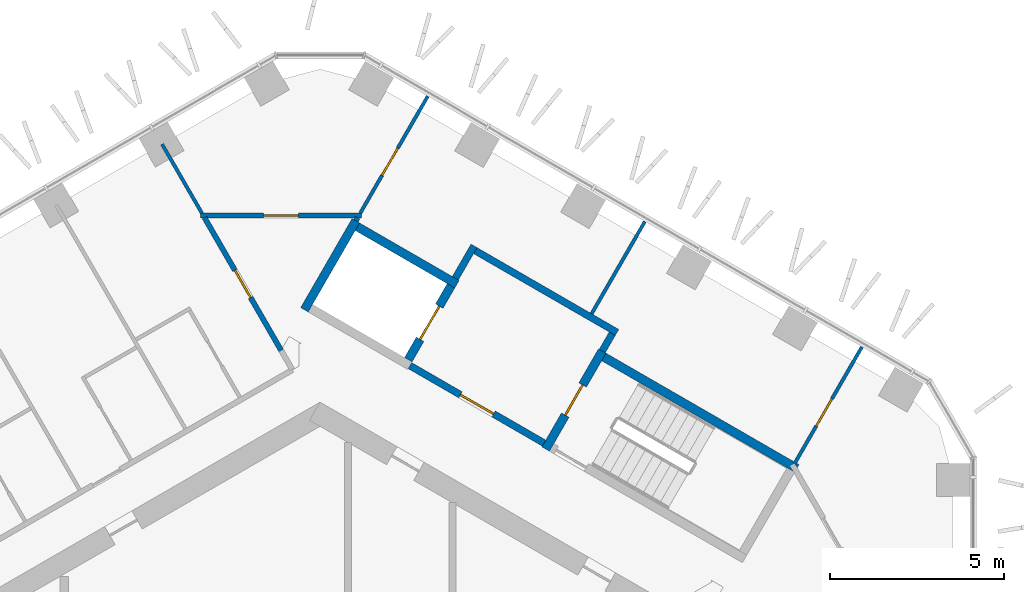
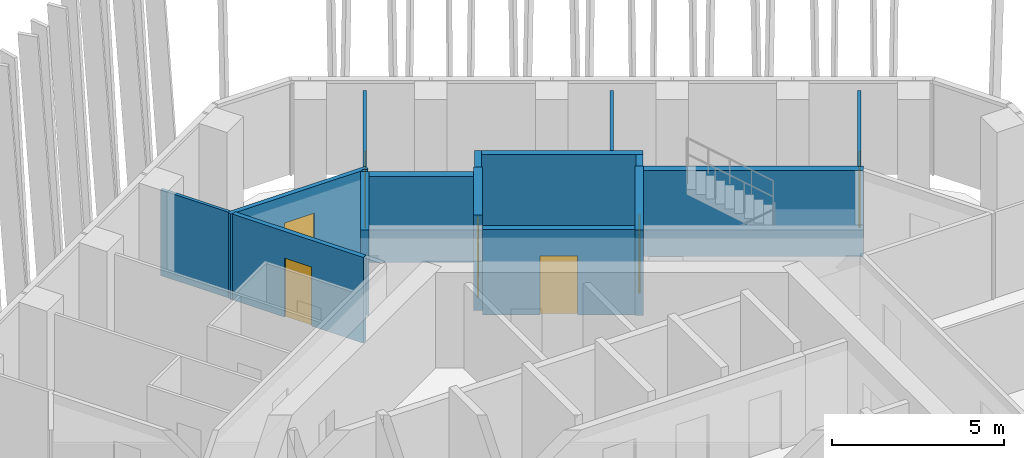
# One storey, part 16 of 21: 16 walls, 7 doors, 7 openings.
"""IFC4 building model written with IfcOpenShell, lengths in metres."""

from ifc_helpers import new_model, si_unit, direction, frame, frame_2d, origin, place, context, subcontext, project, spatial, rectangle, extrude, material, layer, layer_set, type_object, element, fill, save


model = new_model("IFC4")

# Units and contexts
model_context = context("Model", 3, precision=1e-05, world=origin(), true_north=direction((0.0, 1.0)))
body_context = subcontext(model_context, "Body", "Model", "MODEL_VIEW")
ifc_project = project(units=[si_unit("LENGTHUNIT", "METRE"), si_unit("AREAUNIT", "SQUARE_METRE"), si_unit("VOLUMEUNIT", "CUBIC_METRE"), si_unit("PLANEANGLEUNIT", "RADIAN"), si_unit("MASSUNIT", "GRAM", prefix="KILO")], contexts=[model_context])

# Site, building, storey
site_placement = place(None, origin())
site = spatial("IfcSite", under=ifc_project, at=site_placement, CompositionType="ELEMENT")
building_placement = place(site_placement, origin())
building = spatial("IfcBuilding", under=site, at=building_placement, Name="Ayvan Gate Tower", CompositionType="ELEMENT")
storey_placement = place(building_placement, frame((0.0, 0.0, 152.699951171875)))
storey = spatial("IfcBuildingStorey", under=building, at=storey_placement, Name="L40", CompositionType="ELEMENT", Elevation=152.699951171875)

# Wall, opening, door
ifc_material_1 = material(Name="Plasterboard on steel stud", Category="steel")
ifc_layer_1 = layer(ifc_material_1, 0.14990234375)
ifc_layer_set_1 = layer_set([ifc_layer_1], Name="Plasterboard on steel stud")
wall_type_1 = type_object("IfcWallType", Name="WT-CORR-150", PredefinedType="PARTITIONING", material=ifc_layer_set_1)
wall_1_placement = place(storey_placement, frame((-3.431884765625, 16.3359375, 0.0), z_axis=(0.0, 0.0, 1.0), x_axis=(1.0, 0.0, 0.0)))
wall_1 = element("IfcWall", 1, at=wall_1_placement, inside=storey, type_object=wall_type_1, Name="IW-L40-043", PredefinedType="PARTITIONING", context=body_context, shape_type="SweptSolid", body=[
    extrude(rectangle(XDim=4.62451171875, YDim=0.14990234375, at=frame_2d((2.312255859375, 0.0))), origin(), (0.0, 0.0, 1.0), 3.050048828125),
])
opening_1_placement = place(wall_1_placement, frame((1.812255859375, 0.0, 0.0)))
opening_1 = element("IfcOpeningElement", 2, at=opening_1_placement, cuts=wall_1, Name="Opening L40-D25", PredefinedType="OPENING", context=body_context, shape_type="SweptSolid", body=[
    extrude(rectangle(XDim=1.0, YDim=2.10009765625, at=frame_2d((0.5, 1.050048828125))), frame((0.0, 0.0849609375, 0.0), z_axis=(0.0, -1.0, 0.0), x_axis=(1.0, 0.0, 0.0)), (0.0, 0.0, 1.0), 0.169921875),
])
ifc_material_2 = material(Name="Timber door leaf", Category="wood")
door_type_1 = type_object("IfcDoorType", Name="DT-1000", OperationType="NOTDEFINED", PredefinedType="DOOR", material=ifc_material_2)
door_1_placement = place(opening_1_placement, origin())
door_1 = element("IfcDoor", 3, at=door_1_placement, inside=storey, type_object=door_type_1, Name="ID-L40-025", OperationType="SINGLE_SWING_LEFT", OverallHeight=2.10009765625, OverallWidth=1.0, PredefinedType="DOOR", context=body_context, shape_type="SweptSolid", body=[
    extrude(rectangle(XDim=1.0, YDim=2.10009765625, at=frame_2d((0.5, 1.050048828125))), frame((0.0, 0.02490234375, 0.0), z_axis=(0.0, -1.0, 0.0), x_axis=(1.0, 0.0, 0.0)), (0.0, 0.0, 1.0), 0.050048828125),
])
fill(opening_1, door_1)

wall_2_placement = place(storey_placement, frame((-1.11962890625, 12.460693359375, 0.0), z_axis=(0.0, 0.0, 1.0), x_axis=(-0.499970631935, 0.866042358781, 0.0)))
wall_2 = element("IfcWall", 4, at=wall_2_placement, inside=storey, type_object=wall_type_1, Name="IW-L40-051", PredefinedType="PARTITIONING", context=body_context, shape_type="SweptSolid", body=[
    extrude(rectangle(XDim=4.399658203125, YDim=0.14990234375, at=frame_2d((2.19970703125, 0.0))), origin(), (0.0, 0.0, 1.0), 3.050048828125),
])
opening_2_placement = place(wall_2_placement, frame((1.749755859375, 0.0, 0.0)))
opening_2 = element("IfcOpeningElement", 5, at=opening_2_placement, cuts=wall_2, Name="Opening L40-D38", PredefinedType="OPENING", context=body_context, shape_type="SweptSolid", body=[
    extrude(rectangle(XDim=0.89990234375, YDim=2.10009765625, at=frame_2d((0.449951171875, 1.050048828125))), frame((0.0, 0.0849609375, 0.0), z_axis=(0.0, -1.0, 0.0), x_axis=(1.0, 0.0, 0.0)), (0.0, 0.0, 1.0), 0.169921875),
])
door_type_2 = type_object("IfcDoorType", Name="DT-900", OperationType="NOTDEFINED", PredefinedType="DOOR", material=ifc_material_2)
door_2_placement = place(opening_2_placement, origin())
door_2 = element("IfcDoor", 6, at=door_2_placement, inside=storey, type_object=door_type_2, Name="ID-L40-038", OperationType="SINGLE_SWING_RIGHT", OverallHeight=2.10009765625, OverallWidth=0.89990234375, PredefinedType="DOOR", context=body_context, shape_type="SweptSolid", body=[
    extrude(rectangle(XDim=0.89990234375, YDim=2.10009765625, at=frame_2d((0.449951171875, 1.050048828125))), frame((0.0, 0.02490234375, 0.0), z_axis=(0.0, -1.0, 0.0), x_axis=(1.0, 0.0, 0.0)), (0.0, 0.0, 1.0), 0.050048828125),
])
fill(opening_2, door_2)

# Walls
wall_3_placement = place(storey_placement, frame((1.080078125, 16.27099609375, 0.0), z_axis=(0.0, 0.0, 1.0), x_axis=(-0.498859801958, -0.86668269741, 0.0)))
element("IfcWall", 7, at=wall_3_placement, inside=storey, type_object=wall_type_1, Name="IW-L40-059", PredefinedType="PARTITIONING", context=body_context, shape_type="SweptSolid", body=[
    extrude(rectangle(XDim=0.106201171875, YDim=0.14990234375, at=frame_2d((0.05322265625, 0.0))), origin(), (0.0, 0.0, 1.0), 3.050048828125),
])
ifc_layer_2 = layer(ifc_material_1, 0.10009765625)
ifc_layer_set_2 = layer_set([ifc_layer_2], Name="Plasterboard on steel stud")
wall_type_2 = type_object("IfcWallType", Name="WT-PART-100", PredefinedType="PARTITIONING", material=ifc_layer_set_2)
wall_4_placement = place(storey_placement, frame((-3.394287109375, 16.40087890625, 0.0), z_axis=(0.0, 0.0, 1.0), x_axis=(-0.500067608328, 0.865986366579, 0.0)))
element("IfcWall", 8, at=wall_4_placement, inside=storey, type_object=wall_type_2, Name="IW-L40-042", PredefinedType="PARTITIONING", context=body_context, shape_type="SweptSolid", body=[
    extrude(rectangle(XDim=2.285888671875, YDim=0.10009765625, at=frame_2d((1.14306640625, 0.0))), origin(), (0.0, 0.0, 1.0), 3.050048828125),
])

# Wall, opening, door
wall_5_placement = place(storey_placement, frame((3.093505859375, 19.7578125, 0.0), z_axis=(0.0, 0.0, 1.0), x_axis=(-0.500020491252, -0.866013572832, 0.0)))
wall_5 = element("IfcWall", 9, at=wall_5_placement, inside=storey, type_object=wall_type_2, Name="IW-L40-066", PredefinedType="PARTITIONING", context=body_context, shape_type="SweptSolid", body=[
    extrude(rectangle(XDim=3.876220703125, YDim=0.10009765625, at=frame_2d((1.93798828125, 0.0))), origin(), (0.0, 0.0, 1.0), 3.050048828125),
])
opening_3_placement = place(wall_5_placement, frame((1.7236328125, 0.0, 0.0)))
opening_3 = element("IfcOpeningElement", 10, at=opening_3_placement, cuts=wall_5, Name="Opening L40-D26", PredefinedType="OPENING", context=body_context, shape_type="SweptSolid", body=[
    extrude(rectangle(XDim=0.89990234375, YDim=2.10009765625, at=frame_2d((0.449951171875, 1.050048828125))), frame((0.0, 0.06005859375, 0.0), z_axis=(0.0, -1.0, 0.0), x_axis=(1.0, 0.0, 0.0)), (0.0, 0.0, 1.0), 0.1201171875),
])
door_3_placement = place(opening_3_placement, origin())
door_3 = element("IfcDoor", 11, at=door_3_placement, inside=storey, type_object=door_type_2, Name="ID-L40-026", OperationType="SINGLE_SWING_RIGHT", OverallHeight=2.10009765625, OverallWidth=0.89990234375, PredefinedType="DOOR", context=body_context, shape_type="SweptSolid", body=[
    extrude(rectangle(XDim=0.89990234375, YDim=2.10009765625, at=frame_2d((0.449951171875, 1.050048828125))), frame((0.0, 0.02490234375, 0.0), z_axis=(0.0, -1.0, 0.0), x_axis=(1.0, 0.0, 0.0)), (0.0, 0.0, 1.0), 0.050048828125),
])
fill(opening_3, door_3)

# Wall
wall_6_placement = place(storey_placement, frame((7.800048828125, 13.510009765625, 0.0), z_axis=(0.0, 0.0, 1.0), x_axis=(0.500003532061, 0.866023364538, 0.0)))
element("IfcWall", 12, at=wall_6_placement, inside=storey, type_object=wall_type_2, Name="IW-L40-089", PredefinedType="PARTITIONING", context=body_context, shape_type="SweptSolid", body=[
    extrude(rectangle(XDim=3.0576171875, YDim=0.10009765625, at=frame_2d((1.52880859375, 0.0))), origin(), (0.0, 0.0, 1.0), 3.050048828125),
])

# Wall, opening, door
wall_7_placement = place(storey_placement, frame((13.6259765625, 9.200927734375, 0.0), z_axis=(0.0, 0.0, 1.0), x_axis=(0.500020491252, 0.866013572832, 0.0)))
wall_7 = element("IfcWall", 13, at=wall_7_placement, inside=storey, type_object=wall_type_2, Name="IW-L40-102", PredefinedType="PARTITIONING", context=body_context, shape_type="SweptSolid", body=[
    extrude(rectangle(XDim=3.876220703125, YDim=0.10009765625, at=frame_2d((1.93798828125, 0.0))), origin(), (0.0, 0.0, 1.0), 3.050048828125),
])
opening_4_placement = place(wall_7_placement, frame((1.252685546875, 0.0, 0.0)))
opening_4 = element("IfcOpeningElement", 14, at=opening_4_placement, cuts=wall_7, Name="Opening L40-D24", PredefinedType="OPENING", context=body_context, shape_type="SweptSolid", body=[
    extrude(rectangle(XDim=0.89990234375, YDim=2.10009765625, at=frame_2d((0.449951171875, 1.050048828125))), frame((0.0, 0.06005859375, 0.0), z_axis=(0.0, -1.0, 0.0), x_axis=(1.0, 0.0, 0.0)), (0.0, 0.0, 1.0), 0.1201171875),
])
door_4_placement = place(opening_4_placement, origin())
door_4 = element("IfcDoor", 15, at=door_4_placement, inside=storey, type_object=door_type_2, Name="ID-L40-024", OperationType="SINGLE_SWING_RIGHT", OverallHeight=2.10009765625, OverallWidth=0.89990234375, PredefinedType="DOOR", context=body_context, shape_type="SweptSolid", body=[
    extrude(rectangle(XDim=0.89990234375, YDim=2.10009765625, at=frame_2d((0.449951171875, 1.050048828125))), frame((0.0, 0.02490234375, 0.0), z_axis=(0.0, -1.0, 0.0), x_axis=(1.0, 0.0, 0.0)), (0.0, 0.0, 1.0), 0.050048828125),
])
fill(opening_4, door_4)

# Walls
ifc_layer_3 = layer(ifc_material_1, 0.199951171875)
ifc_layer_set_3 = layer_set([ifc_layer_3], Name="Plasterboard on steel stud")
wall_type_3 = type_object("IfcWallType", Name="WT-RATED-200", PredefinedType="PARTITIONING", material=ifc_layer_set_3)
wall_8_placement = place(storey_placement, frame((3.885009765625, 14.52880859375, 0.0), z_axis=(0.0, 0.0, 1.0), x_axis=(0.499997628298, 0.866026773083, 0.0)))
element("IfcWall", 16, at=wall_8_placement, inside=storey, type_object=wall_type_3, Name="IW-L40-072", PredefinedType="PARTITIONING", context=body_context, shape_type="SweptSolid", body=[
    extrude(rectangle(XDim=1.0751953125, YDim=0.199951171875, at=frame_2d((0.53759765625, 0.0))), origin(), (0.0, 0.0, 1.0), 3.050048828125),
])
wall_9_placement = place(storey_placement, frame((4.458984375, 15.323486328125, 0.0), z_axis=(0.0, 0.0, 1.0), x_axis=(0.866016039709, -0.500016218704, 0.0)))
element("IfcWall", 17, at=wall_9_placement, inside=storey, type_object=wall_type_3, Name="IW-L40-073", PredefinedType="PARTITIONING", context=body_context, shape_type="SweptSolid", body=[
    extrude(rectangle(XDim=4.699951171875, YDim=0.199951171875, at=frame_2d((2.35009765625, 0.0))), origin(), (0.0, 0.0, 1.0), 3.050048828125),
])

# Wall, opening, door
wall_10_placement = place(storey_placement, frame((6.4345703125, 9.794921875, 0.0), z_axis=(0.0, 0.0, 1.0), x_axis=(-0.866012907634, 0.500021643343, 0.0)))
wall_10 = element("IfcWall", 18, at=wall_10_placement, inside=storey, type_object=wall_type_3, Name="IW-L40-081", PredefinedType="PARTITIONING", context=body_context, shape_type="SweptSolid", body=[
    extrude(rectangle(XDim=4.449951171875, YDim=0.199951171875, at=frame_2d((2.22509765625, 0.0))), origin(), (0.0, 0.0, 1.0), 3.050048828125),
])
opening_5_placement = place(wall_10_placement, frame((1.675048828125, 0.0, 0.0)))
opening_5 = element("IfcOpeningElement", 19, at=opening_5_placement, cuts=wall_10, Name="Opening L40-D12", PredefinedType="OPENING", context=body_context, shape_type="SweptSolid", body=[
    extrude(rectangle(XDim=1.10009765625, YDim=2.10009765625, at=frame_2d((0.550048828125, 1.050048828125))), frame((0.0, 0.10986328125, 0.0), z_axis=(0.0, -1.0, 0.0), x_axis=(1.0, 0.0, 0.0)), (0.0, 0.0, 1.0), 0.219970703125),
])
door_type_3 = type_object("IfcDoorType", Name="DT-1100", OperationType="NOTDEFINED", PredefinedType="DOOR", material=ifc_material_2)
door_5_placement = place(opening_5_placement, origin())
door_5 = element("IfcDoor", 20, at=door_5_placement, inside=storey, type_object=door_type_3, Name="ID-L40-012", OperationType="SINGLE_SWING_RIGHT", OverallHeight=2.10009765625, OverallWidth=1.10009765625, PredefinedType="DOOR", context=body_context, shape_type="SweptSolid", body=[
    extrude(rectangle(XDim=1.10009765625, YDim=2.10009765625, at=frame_2d((0.550048828125, 1.050048828125))), frame((0.0, 0.02490234375, 0.0), z_axis=(0.0, -1.0, 0.0), x_axis=(1.0, 0.0, 0.0)), (0.0, 0.0, 1.0), 0.050048828125),
])
fill(opening_5, door_5)

# Walls
wall_11_placement = place(storey_placement, frame((8.392822265625, 12.936767578125, 0.0), z_axis=(0.0, 0.0, 1.0), x_axis=(-0.500065409566, -0.86598763626, 0.0)))
element("IfcWall", 21, at=wall_11_placement, inside=storey, type_object=wall_type_3, Name="IW-L40-091", PredefinedType="PARTITIONING", context=body_context, shape_type="SweptSolid", body=[
    extrude(rectangle(XDim=0.5751953125, YDim=0.199951171875, at=frame_2d((0.28759765625, 0.0))), origin(), (0.0, 0.0, 1.0), 3.050048828125),
])
ifc_material_3 = material(Name="Concrete C50/60", Category="concrete")
ifc_layer_4 = layer(ifc_material_3, 0.25)
ifc_layer_set_4 = layer_set([ifc_layer_4], Name="Concrete C50/60")
wall_type_4 = type_object("IfcWallType", Name="WT-RC-250", PredefinedType="SHEAR", material=ifc_layer_set_4)
wall_12_placement = place(storey_placement, frame((-0.447998046875, 13.624267578125, 0.0), z_axis=(0.0, 0.0, 1.0), x_axis=(0.500037662692, 0.866003658127, 0.0)))
element("IfcWall", 22, at=wall_12_placement, inside=storey, type_object=wall_type_4, Name="IW-L40-055", PredefinedType="SHEAR", context=body_context, shape_type="SweptSolid", body=[
    extrude(rectangle(XDim=2.949951171875, YDim=0.25, at=frame_2d((1.47509765625, 0.0))), origin(), (0.0, 0.0, 1.0), 3.050048828125),
])
wall_13_placement = place(storey_placement, frame((1.072998046875, 16.00830078125, 0.0), z_axis=(0.0, 0.0, 1.0), x_axis=(0.866040211805, -0.499974350878, 0.0)))
element("IfcWall", 23, at=wall_13_placement, inside=storey, type_object=wall_type_4, Name="IW-L40-058", PredefinedType="SHEAR", context=body_context, shape_type="SweptSolid", body=[
    extrude(rectangle(XDim=3.300048828125, YDim=0.25, at=frame_2d((1.64990234375, 0.0))), origin(), (0.0, 0.0, 1.0), 3.050048828125),
])

# Wall, opening, door
wall_14_placement = place(storey_placement, frame((2.534912109375, 12.19091796875, 0.0), z_axis=(0.0, 0.0, 1.0), x_axis=(0.500061746146, 0.865989751695, 0.0)))
wall_14 = element("IfcWall", 24, at=wall_14_placement, inside=storey, type_object=wall_type_4, Name="IW-L40-065", PredefinedType="SHEAR", context=body_context, shape_type="SweptSolid", body=[
    extrude(rectangle(XDim=2.449951171875, YDim=0.25, at=frame_2d((1.22509765625, 0.0))), origin(), (0.0, 0.0, 1.0), 3.400146484375),
])
opening_6_placement = place(wall_14_placement, frame((0.675048828125, 0.0, 0.0)))
opening_6 = element("IfcOpeningElement", 25, at=opening_6_placement, cuts=wall_14, Name="Opening L40-LD-FF1", PredefinedType="OPENING", context=body_context, shape_type="SweptSolid", body=[
    extrude(rectangle(XDim=1.10009765625, YDim=2.10009765625, at=frame_2d((0.550048828125, 1.050048828125))), frame((0.0, 0.135009765625, 0.0), z_axis=(0.0, -1.0, 0.0), x_axis=(1.0, 0.0, 0.0)), (0.0, 0.0, 1.0), 0.27001953125),
])
ifc_material_4 = material(Name="Stainless steel landing door", Category="steel")
door_type_4 = type_object("IfcDoorType", Name="DT-LANDING-1100", OperationType="SLIDING_TO_LEFT", PredefinedType="DOOR", material=ifc_material_4)
door_6_placement = place(opening_6_placement, origin())
door_6 = element("IfcDoor", 26, at=door_6_placement, inside=storey, type_object=door_type_4, Name="ID-L40-013", OperationType="SLIDING_TO_LEFT", OverallHeight=2.10009765625, OverallWidth=1.10009765625, PredefinedType="DOOR", context=body_context, shape_type="SweptSolid", body=[
    extrude(rectangle(XDim=1.10009765625, YDim=2.10009765625, at=frame_2d((0.550048828125, 1.050048828125))), frame((0.0, 0.02490234375, 0.0), z_axis=(0.0, -1.0, 0.0), x_axis=(1.0, 0.0, 0.0)), (0.0, 0.0, 1.0), 0.050048828125),
])
fill(opening_6, door_6)

wall_15_placement = place(storey_placement, frame((6.480224609375, 9.624267578125, 0.0), z_axis=(0.0, 0.0, 1.0), x_axis=(0.500017246033, 0.866015446554, 0.0)))
wall_15 = element("IfcWall", 27, at=wall_15_placement, inside=storey, type_object=wall_type_4, Name="IW-L40-082", PredefinedType="SHEAR", context=body_context, shape_type="SweptSolid", body=[
    extrude(rectangle(XDim=3.25, YDim=0.25, at=frame_2d((1.625, 0.0))), origin(), (0.0, 0.0, 1.0), 3.050048828125),
])
opening_7_placement = place(wall_15_placement, frame((1.125, 0.0, 0.0)))
opening_7 = element("IfcOpeningElement", 28, at=opening_7_placement, cuts=wall_15, Name="Opening L40-D11", PredefinedType="OPENING", context=body_context, shape_type="SweptSolid", body=[
    extrude(rectangle(XDim=1.0, YDim=2.10009765625, at=frame_2d((0.5, 1.050048828125))), frame((0.0, 0.135009765625, 0.0), z_axis=(0.0, -1.0, 0.0), x_axis=(1.0, 0.0, 0.0)), (0.0, 0.0, 1.0), 0.27001953125),
])
door_7_placement = place(opening_7_placement, origin())
door_7 = element("IfcDoor", 29, at=door_7_placement, inside=storey, type_object=door_type_1, Name="ID-L40-011", OperationType="SINGLE_SWING_LEFT", OverallHeight=2.10009765625, OverallWidth=1.0, PredefinedType="DOOR", context=body_context, shape_type="SweptSolid", body=[
    extrude(rectangle(XDim=1.0, YDim=2.10009765625, at=frame_2d((0.5, 1.050048828125))), frame((0.0, 0.02490234375, 0.0), z_axis=(0.0, -1.0, 0.0), x_axis=(1.0, 0.0, 0.0)), (0.0, 0.0, 1.0), 0.050048828125),
])
fill(opening_7, door_7)

# Wall
wall_16_placement = place(storey_placement, frame((8.151123046875, 12.26806640625, 0.0), z_axis=(0.0, 0.0, 1.0), x_axis=(0.866025499775, -0.499999833739, 0.0)))
element("IfcWall", 30, at=wall_16_placement, inside=storey, type_object=wall_type_4, Name="IW-L40-090", PredefinedType="SHEAR", context=body_context, shape_type="SweptSolid", body=[
    extrude(rectangle(XDim=6.39990234375, YDim=0.25, at=frame_2d((3.199951171875, 0.0))), origin(), (0.0, 0.0, 1.0), 3.050048828125),
])

save(model, "model.ifc")
